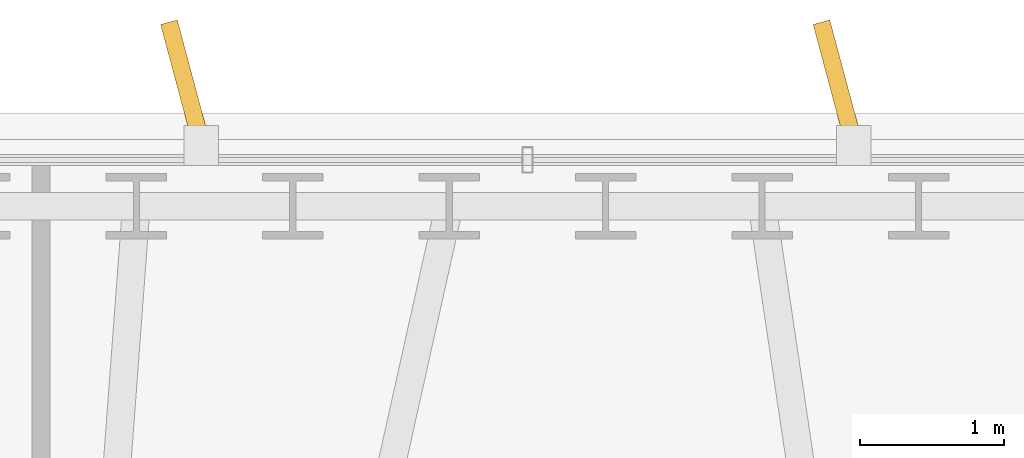
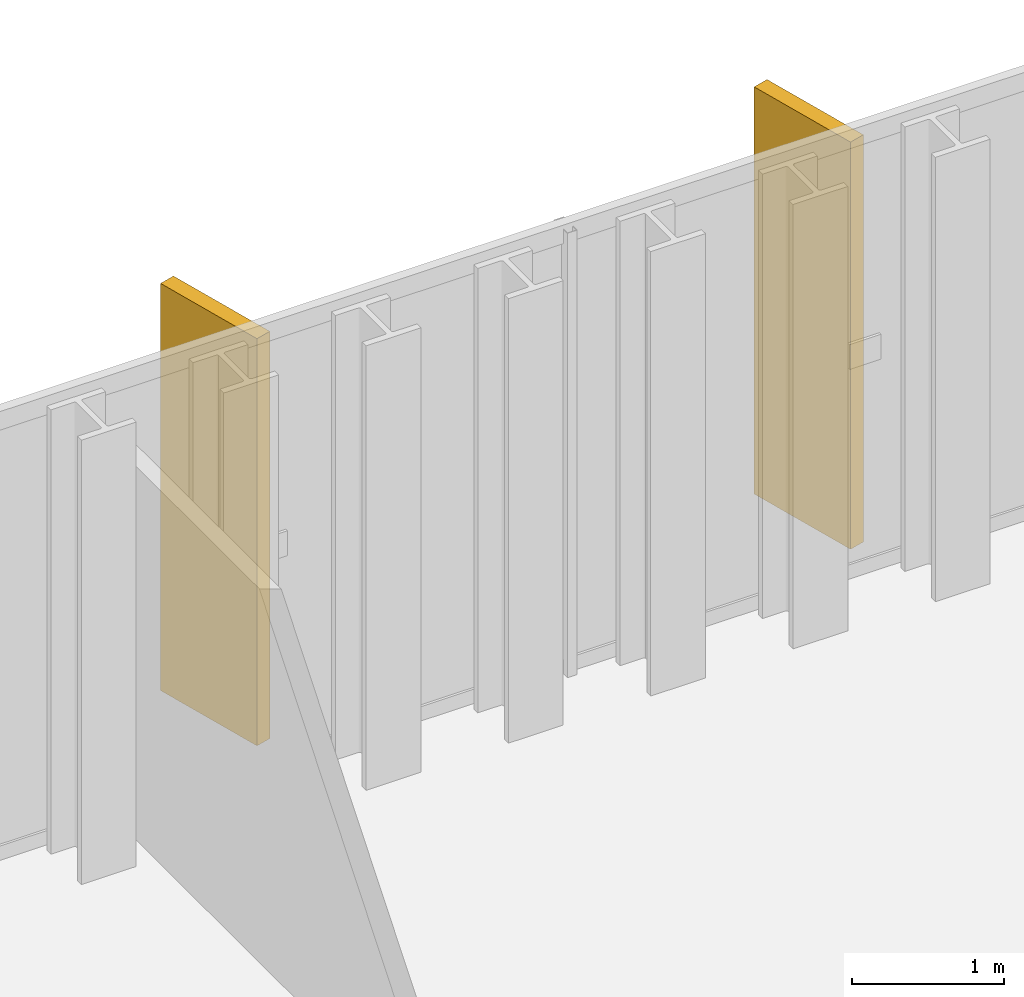
# One storey, part 34 of 34: 2 shading devices.
"""IFC4 building model written with IfcOpenShell, lengths in metres."""

from ifc_helpers import new_model, si_unit, direction, frame, origin, origin_2d, place, context, subcontext, project, spatial, rectangle, extrude, material, type_object, element, save


model = new_model("IFC4")

# Units and contexts
model_context = context("Model", 3, precision=1e-05, world=origin(), true_north=direction((0.0, 1.0)))
body_context = subcontext(model_context, "Body", "Model", "MODEL_VIEW")
ifc_project = project(units=[si_unit("LENGTHUNIT", "METRE"), si_unit("AREAUNIT", "SQUARE_METRE"), si_unit("VOLUMEUNIT", "CUBIC_METRE"), si_unit("PLANEANGLEUNIT", "RADIAN"), si_unit("MASSUNIT", "GRAM", prefix="KILO")], contexts=[model_context])

# Site, building, storey
site_placement = place(None, origin())
site = spatial("IfcSite", under=ifc_project, at=site_placement, CompositionType="ELEMENT")
building_placement = place(site_placement, origin())
building = spatial("IfcBuilding", under=site, at=building_placement, Name="Ndaravel Arena Tower", CompositionType="ELEMENT")
storey_placement = place(building_placement, frame((0.0, 0.0, 191.60009765625)))
storey = spatial("IfcBuildingStorey", under=building, at=storey_placement, Name="L46", CompositionType="ELEMENT", Elevation=191.60009765625)

# Shading devices
ifc_material = material(Name="Masonry", Category="masonry")
shading_device_type = type_object("IfcShadingDeviceType", Name="SHD-MAZERAS-FIN", PredefinedType="SHUTTER", material=ifc_material)
for number, where, z_axis, x_axis, name in (
    (1, (44.154296875, 46.64599609375, 0.14990234375), (0.0, 0.0, 1.0), (-0.258819045103, 0.965925826289, 0.0), "L46 Mazeras Stone Solar Fin E4.1"),
    (2, (39.63134765625, 46.64599609375, 0.14990234375), (0.0, 0.0, 1.0), (-0.258819045103, 0.965925826289, 0.0), "L46 Mazeras Stone Solar Fin E4.2"),
):
    element("IfcShadingDevice", number, at=place(storey_placement, frame(where, z_axis=z_axis, x_axis=x_axis)), inside=storey, type_object=shading_device_type, Name=name, PredefinedType="SHUTTER", context=body_context, shape_type="SweptSolid", body=[
        extrude(rectangle(XDim=0.89990234375, YDim=0.1201171875, at=origin_2d()), origin(), (0.0, 0.0, 1.0), 3.280029296875),
    ])

save(model, "model.ifc")
